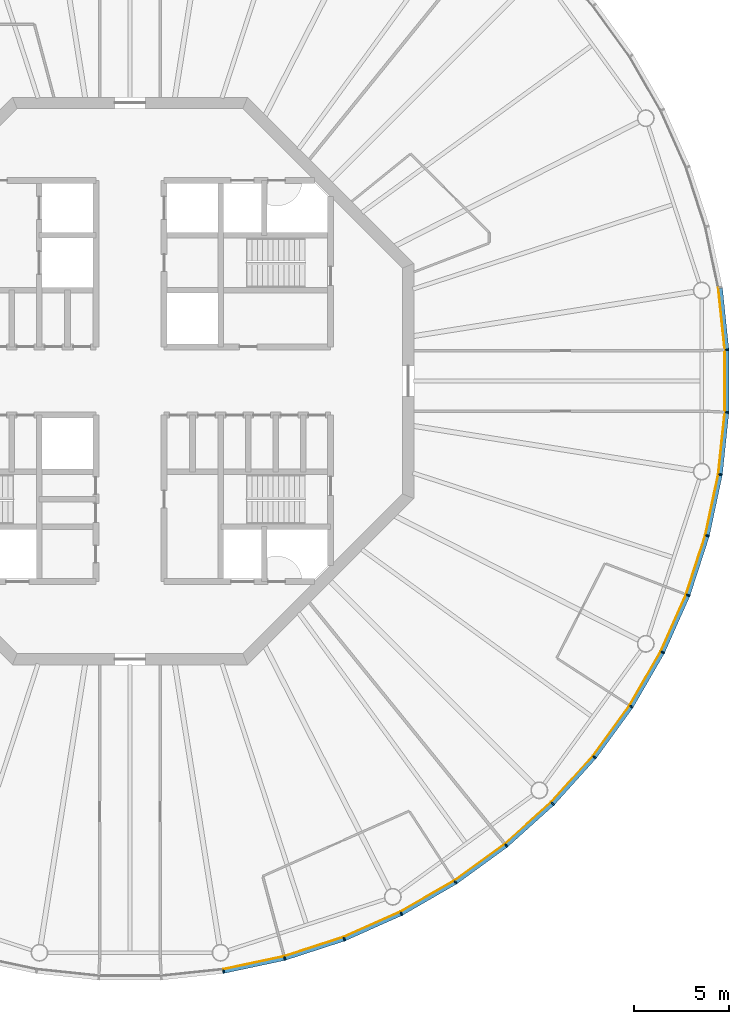
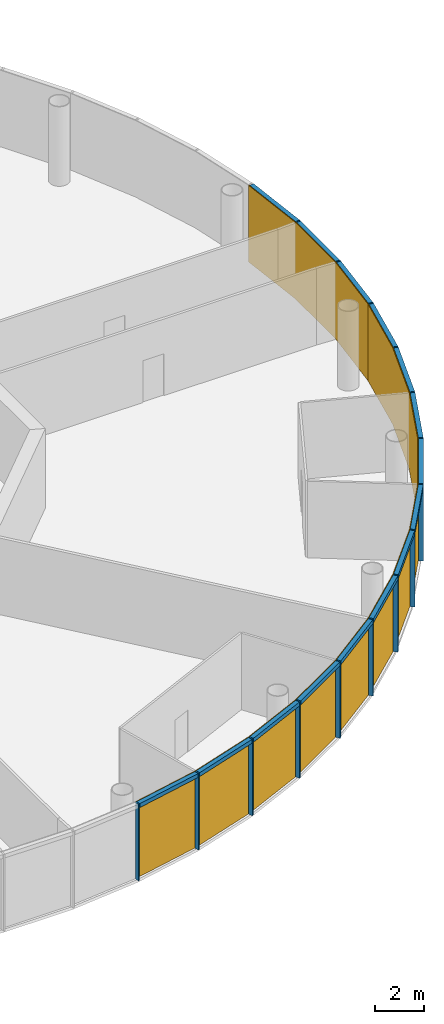
# One storey, part 9 of 13: 30 members, 5 curtain walls.
"""IFC4 building model written with IfcOpenShell, lengths in metres."""

from ifc_helpers import new_model, si_unit, direction, frame, origin, origin_2d, place, context, subcontext, project, spatial, polyline, rectangle, outline, extrude, material, layer, layer_set, material_profile, profile_set, type_object, element, aggregate, save


model = new_model("IFC4")

# Units and contexts
model_context = context("Model", 3, precision=1e-05, world=origin(), true_north=direction((0.0, 1.0)))
body_context = subcontext(model_context, "Body", "Model", "MODEL_VIEW")
ifc_project = project(units=[si_unit("LENGTHUNIT", "METRE"), si_unit("AREAUNIT", "SQUARE_METRE"), si_unit("VOLUMEUNIT", "CUBIC_METRE"), si_unit("PLANEANGLEUNIT", "RADIAN"), si_unit("MASSUNIT", "GRAM", prefix="KILO")], contexts=[model_context])

# Member
ifc_material_1 = material(Name="Anodised aluminium", Category="aluminium")
ifc_material_profile_1 = material_profile(ifc_material_1, rectangle(XDim=0.070068359375, YDim=0.205078125, at=origin_2d()), Name="Mullion 70 x 205 mm anodised aluminium")
ifc_profile_set_1 = profile_set([ifc_material_profile_1], Name="Anodised aluminium")
member_type_1 = type_object("IfcMemberType", Name="Mullion 70 x 205 mm anodised aluminium", PredefinedType="MULLION", material=ifc_profile_set_1)
site_placement = place(None, origin())
building_placement = place(site_placement, origin())
storey_placement = place(building_placement, frame((0.0, 0.0, 384.0)))
member_1_placement = place(storey_placement, frame((94.943603515625, 48.78662109375, 0.0), z_axis=(0.0, 0.0, 1.0), x_axis=(0.987688340595, 0.15643446504, 0.0)))
member_1 = element("IfcMember", 1, at=member_1_placement, type_object=member_type_1, Name="MULLION L89-45", PredefinedType="MULLION", context=body_context, shape_type="SweptSolid", body=[
    extrude(rectangle(XDim=0.070068359375, YDim=0.205078125, at=origin_2d()), origin(), (0.0, 0.0, 1.0), 3.85009765625),
])

member_2_placement = place(storey_placement, frame((98.179443359375, 49.474365234375, 0.0), z_axis=(0.0, 0.0, 1.0), x_axis=(0.965925826289, 0.258819045103, 0.0)))
member_2 = element("IfcMember", 2, at=member_2_placement, type_object=member_type_1, Name="MULLION L89-46", PredefinedType="MULLION", context=body_context, shape_type="SweptSolid", body=[
    extrude(rectangle(XDim=0.070068359375, YDim=0.205078125, at=origin_2d()), origin(), (0.0, 0.0, 1.0), 3.85009765625),
])

member_3_placement = place(storey_placement, frame((101.325439453125, 50.49658203125, 0.0), z_axis=(0.0, 0.0, 1.0), x_axis=(0.933580426497, 0.358367949545, 0.0)))
member_3 = element("IfcMember", 3, at=member_3_placement, type_object=member_type_1, Name="MULLION L89-47", PredefinedType="MULLION", context=body_context, shape_type="SweptSolid", body=[
    extrude(rectangle(XDim=0.070068359375, YDim=0.205078125, at=origin_2d()), origin(), (0.0, 0.0, 1.0), 3.85009765625),
])

member_4_placement = place(storey_placement, frame((104.34716796875, 51.842041015625, 0.0), z_axis=(0.0, 0.0, 1.0), x_axis=(0.891006524188, 0.45399049974, 0.0)))
member_4 = element("IfcMember", 4, at=member_4_placement, type_object=member_type_1, Name="MULLION L89-48", PredefinedType="MULLION", context=body_context, shape_type="SweptSolid", body=[
    extrude(rectangle(XDim=0.070068359375, YDim=0.205078125, at=origin_2d()), origin(), (0.0, 0.0, 1.0), 3.85009765625),
])

member_5_placement = place(storey_placement, frame((107.2119140625, 53.495849609375, 0.0), z_axis=(0.0, 0.0, 1.0), x_axis=(0.838670567945, 0.544639035015, 0.0)))
member_5 = element("IfcMember", 5, at=member_5_placement, type_object=member_type_1, Name="MULLION L89-49", PredefinedType="MULLION", context=body_context, shape_type="SweptSolid", body=[
    extrude(rectangle(XDim=0.070068359375, YDim=0.205078125, at=origin_2d()), origin(), (0.0, 0.0, 1.0), 3.85009765625),
])

member_6_placement = place(storey_placement, frame((109.88818359375, 55.440185546875, 0.0), z_axis=(0.0, 0.0, 1.0), x_axis=(0.777145961457, 0.62932039105, 0.0)))
member_6 = element("IfcMember", 6, at=member_6_placement, type_object=member_type_1, Name="MULLION L89-50", PredefinedType="MULLION", context=body_context, shape_type="SweptSolid", body=[
    extrude(rectangle(XDim=0.070068359375, YDim=0.205078125, at=origin_2d()), origin(), (0.0, 0.0, 1.0), 3.85009765625),
])

member_7_placement = place(storey_placement, frame((112.346435546875, 57.653564453125, 0.0), z_axis=(0.0, 0.0, 1.0), x_axis=(0.707106781187, 0.707106781187, 0.0)))
member_7 = element("IfcMember", 7, at=member_7_placement, type_object=member_type_1, Name="MULLION L89-51", PredefinedType="MULLION", context=body_context, shape_type="SweptSolid", body=[
    extrude(rectangle(XDim=0.070068359375, YDim=0.205078125, at=origin_2d()), origin(), (0.0, 0.0, 1.0), 3.85009765625),
])

member_8_placement = place(storey_placement, frame((114.559814453125, 60.11181640625, 0.0), z_axis=(0.0, 0.0, 1.0), x_axis=(0.62932039105, 0.777145961457, 0.0)))
member_8 = element("IfcMember", 8, at=member_8_placement, type_object=member_type_1, Name="MULLION L89-52", PredefinedType="MULLION", context=body_context, shape_type="SweptSolid", body=[
    extrude(rectangle(XDim=0.070068359375, YDim=0.205078125, at=origin_2d()), origin(), (0.0, 0.0, 1.0), 3.85009765625),
])

member_9_placement = place(storey_placement, frame((116.504150390625, 62.7880859375, 0.0), z_axis=(0.0, 0.0, 1.0), x_axis=(0.544639035015, 0.838670567945, 0.0)))
member_9 = element("IfcMember", 9, at=member_9_placement, type_object=member_type_1, Name="MULLION L89-53", PredefinedType="MULLION", context=body_context, shape_type="SweptSolid", body=[
    extrude(rectangle(XDim=0.070068359375, YDim=0.205078125, at=origin_2d()), origin(), (0.0, 0.0, 1.0), 3.85009765625),
])

member_10_placement = place(storey_placement, frame((118.157958984375, 65.65283203125, 0.0), z_axis=(0.0, 0.0, 1.0), x_axis=(0.45399049974, 0.891006524188, 0.0)))
member_10 = element("IfcMember", 10, at=member_10_placement, type_object=member_type_1, Name="MULLION L89-54", PredefinedType="MULLION", context=body_context, shape_type="SweptSolid", body=[
    extrude(rectangle(XDim=0.070068359375, YDim=0.205078125, at=origin_2d()), origin(), (0.0, 0.0, 1.0), 3.85009765625),
])

member_11_placement = place(storey_placement, frame((119.50341796875, 68.674560546875, 0.0), z_axis=(0.0, 0.0, 1.0), x_axis=(0.358367949545, 0.933580426497, 0.0)))
member_11 = element("IfcMember", 11, at=member_11_placement, type_object=member_type_1, Name="MULLION L89-55", PredefinedType="MULLION", context=body_context, shape_type="SweptSolid", body=[
    extrude(rectangle(XDim=0.070068359375, YDim=0.205078125, at=origin_2d()), origin(), (0.0, 0.0, 1.0), 3.85009765625),
])

member_12_placement = place(storey_placement, frame((120.525634765625, 71.820556640625, 0.0), z_axis=(0.0, 0.0, 1.0), x_axis=(0.258819045103, 0.965925826289, 0.0)))
member_12 = element("IfcMember", 12, at=member_12_placement, type_object=member_type_1, Name="MULLION L89-56", PredefinedType="MULLION", context=body_context, shape_type="SweptSolid", body=[
    extrude(rectangle(XDim=0.070068359375, YDim=0.205078125, at=origin_2d()), origin(), (0.0, 0.0, 1.0), 3.85009765625),
])

member_13_placement = place(storey_placement, frame((121.21337890625, 75.056396484375, 0.0), z_axis=(0.0, 0.0, 1.0), x_axis=(0.15643446504, 0.987688340595, 0.0)))
member_13 = element("IfcMember", 13, at=member_13_placement, type_object=member_type_1, Name="MULLION L89-57", PredefinedType="MULLION", context=body_context, shape_type="SweptSolid", body=[
    extrude(rectangle(XDim=0.070068359375, YDim=0.205078125, at=origin_2d()), origin(), (0.0, 0.0, 1.0), 3.85009765625),
])

member_14_placement = place(storey_placement, frame((121.55908203125, 78.345947265625, 0.0), z_axis=(0.0, 0.0, 1.0), x_axis=(0.052335956243, 0.998629534755, 0.0)))
member_14 = element("IfcMember", 14, at=member_14_placement, type_object=member_type_1, Name="MULLION L89-58", PredefinedType="MULLION", context=body_context, shape_type="SweptSolid", body=[
    extrude(rectangle(XDim=0.070068359375, YDim=0.205078125, at=origin_2d()), origin(), (0.0, 0.0, 1.0), 3.85009765625),
])

member_15_placement = place(storey_placement, frame((121.55908203125, 81.654052734375, 0.0), z_axis=(0.0, 0.0, 1.0), x_axis=(-0.052335956243, 0.998629534755, 0.0)))
member_15 = element("IfcMember", 15, at=member_15_placement, type_object=member_type_1, Name="MULLION L89-59", PredefinedType="MULLION", context=body_context, shape_type="SweptSolid", body=[
    extrude(rectangle(XDim=0.070068359375, YDim=0.205078125, at=origin_2d()), origin(), (0.0, 0.0, 1.0), 3.85009765625),
])

ifc_material_2 = material(Name="Anodised aluminium", Category="aluminium")
ifc_material_profile_2 = material_profile(ifc_material_2, rectangle(XDim=0.205078125, YDim=0.195068359375, at=origin_2d()), Name="Transom 195 x 205 mm anodised aluminium")
ifc_profile_set_2 = profile_set([ifc_material_profile_2], Name="Anodised aluminium")
member_type_2 = type_object("IfcMemberType", Name="Transom 195 x 205 mm anodised aluminium", PredefinedType="USERDEFINED", material=ifc_profile_set_2)
member_16_placement = place(storey_placement, frame((94.983154296875, 48.794921875, 3.75244140625), z_axis=(0.978153082647, 0.207885898771, 0.0), x_axis=(-0.207885898771, 0.978153082647, 0.0)))
member_16 = element("IfcMember", 16, at=member_16_placement, type_object=member_type_2, Name="TRANSOM L89-45", ObjectType="TRANSOM", PredefinedType="USERDEFINED", context=body_context, shape_type="SweptSolid", body=[
    extrude(rectangle(XDim=0.205078125, YDim=0.195068359375, at=origin_2d()), origin(), (0.0, 0.0, 1.0), 3.227294921875),
])

member_17_placement = place(storey_placement, frame((98.2177734375, 49.486572265625, 3.75244140625), z_axis=(0.951046855117, 0.309046726844, 0.0), x_axis=(-0.309046726844, 0.951046855117, 0.0)))
member_17 = element("IfcMember", 17, at=member_17_placement, type_object=member_type_2, Name="TRANSOM L89-46", ObjectType="TRANSOM", PredefinedType="USERDEFINED", context=body_context, shape_type="SweptSolid", body=[
    extrude(rectangle(XDim=0.205078125, YDim=0.195068359375, at=origin_2d()), origin(), (0.0, 0.0, 1.0), 3.22705078125),
])

member_18_placement = place(storey_placement, frame((101.3623046875, 50.5126953125, 3.75244140625), z_axis=(0.913521178731, 0.406791170024, 0.0), x_axis=(-0.406791170024, 0.913521178731, 0.0)))
member_18 = element("IfcMember", 18, at=member_18_placement, type_object=member_type_2, Name="TRANSOM L89-47", ObjectType="TRANSOM", PredefinedType="USERDEFINED", context=body_context, shape_type="SweptSolid", body=[
    extrude(rectangle(XDim=0.205078125, YDim=0.195068359375, at=origin_2d()), origin(), (0.0, 0.0, 1.0), 3.22705078125),
])

member_19_placement = place(storey_placement, frame((104.38232421875, 51.862060546875, 3.75244140625), z_axis=(0.866023062494, 0.500004055213, 0.0), x_axis=(-0.500004055213, 0.866023062494, 0.0)))
member_19 = element("IfcMember", 19, at=member_19_placement, type_object=member_type_2, Name="TRANSOM L89-48", ObjectType="TRANSOM", PredefinedType="USERDEFINED", context=body_context, shape_type="SweptSolid", body=[
    extrude(rectangle(XDim=0.205078125, YDim=0.195068359375, at=origin_2d()), origin(), (0.0, 0.0, 1.0), 3.22705078125),
])

member_20_placement = place(storey_placement, frame((107.24462890625, 53.51953125, 3.75244140625), z_axis=(0.809004252048, 0.587802790201, 0.0), x_axis=(-0.587802790201, 0.809004252048, 0.0)))
member_20 = element("IfcMember", 20, at=member_20_placement, type_object=member_type_2, Name="TRANSOM L89-49", ObjectType="TRANSOM", PredefinedType="USERDEFINED", context=body_context, shape_type="SweptSolid", body=[
    extrude(rectangle(XDim=0.205078125, YDim=0.195068359375, at=origin_2d()), origin(), (0.0, 0.0, 1.0), 3.227294921875),
])

member_21_placement = place(storey_placement, frame((109.918212890625, 55.467041015625, 3.75244140625), z_axis=(0.743132370743, 0.669144438484, 0.0), x_axis=(-0.669144438484, 0.743132370743, 0.0)))
member_21 = element("IfcMember", 21, at=member_21_placement, type_object=member_type_2, Name="TRANSOM L89-50", ObjectType="TRANSOM", PredefinedType="USERDEFINED", context=body_context, shape_type="SweptSolid", body=[
    extrude(rectangle(XDim=0.205078125, YDim=0.195068359375, at=origin_2d()), origin(), (0.0, 0.0, 1.0), 3.22705078125),
])

member_22_placement = place(storey_placement, frame((112.37353515625, 57.68359375, 3.75244140625), z_axis=(0.669144438484, 0.743132370743, 0.0), x_axis=(-0.743132370743, 0.669144438484, 0.0)))
member_22 = element("IfcMember", 22, at=member_22_placement, type_object=member_type_2, Name="TRANSOM L89-51", ObjectType="TRANSOM", PredefinedType="USERDEFINED", context=body_context, shape_type="SweptSolid", body=[
    extrude(rectangle(XDim=0.205078125, YDim=0.195068359375, at=origin_2d()), origin(), (0.0, 0.0, 1.0), 3.22705078125),
])

member_23_placement = place(storey_placement, frame((114.58349609375, 60.14453125, 3.75244140625), z_axis=(0.587802790201, 0.809004252048, 0.0), x_axis=(-0.809004252048, 0.587802790201, 0.0)))
member_23 = element("IfcMember", 23, at=member_23_placement, type_object=member_type_2, Name="TRANSOM L89-52", ObjectType="TRANSOM", PredefinedType="USERDEFINED", context=body_context, shape_type="SweptSolid", body=[
    extrude(rectangle(XDim=0.205078125, YDim=0.195068359375, at=origin_2d()), origin(), (0.0, 0.0, 1.0), 3.227294921875),
])

member_24_placement = place(storey_placement, frame((116.5244140625, 62.822998046875, 3.75244140625), z_axis=(0.500004055213, 0.866023062494, 0.0), x_axis=(-0.866023062494, 0.500004055213, 0.0)))
member_24 = element("IfcMember", 24, at=member_24_placement, type_object=member_type_2, Name="TRANSOM L89-53", ObjectType="TRANSOM", PredefinedType="USERDEFINED", context=body_context, shape_type="SweptSolid", body=[
    extrude(rectangle(XDim=0.205078125, YDim=0.195068359375, at=origin_2d()), origin(), (0.0, 0.0, 1.0), 3.22705078125),
])

member_25_placement = place(storey_placement, frame((118.174560546875, 65.689697265625, 3.75244140625), z_axis=(0.406791170024, 0.913521178731, 0.0), x_axis=(-0.913521178731, 0.406791170024, 0.0)))
member_25 = element("IfcMember", 25, at=member_25_placement, type_object=member_type_2, Name="TRANSOM L89-54", ObjectType="TRANSOM", PredefinedType="USERDEFINED", context=body_context, shape_type="SweptSolid", body=[
    extrude(rectangle(XDim=0.205078125, YDim=0.195068359375, at=origin_2d()), origin(), (0.0, 0.0, 1.0), 3.22705078125),
])

member_26_placement = place(storey_placement, frame((119.51611328125, 68.713134765625, 3.75244140625), z_axis=(0.309046726844, 0.951046855117, 0.0), x_axis=(-0.951046855117, 0.309046726844, 0.0)))
member_26 = element("IfcMember", 26, at=member_26_placement, type_object=member_type_2, Name="TRANSOM L89-55", ObjectType="TRANSOM", PredefinedType="USERDEFINED", context=body_context, shape_type="SweptSolid", body=[
    extrude(rectangle(XDim=0.205078125, YDim=0.195068359375, at=origin_2d()), origin(), (0.0, 0.0, 1.0), 3.22705078125),
])

member_27_placement = place(storey_placement, frame((120.5341796875, 71.860107421875, 3.75244140625), z_axis=(0.207885898771, 0.978153082647, 0.0), x_axis=(-0.978153082647, 0.207885898771, 0.0)))
member_27 = element("IfcMember", 27, at=member_27_placement, type_object=member_type_2, Name="TRANSOM L89-56", ObjectType="TRANSOM", PredefinedType="USERDEFINED", context=body_context, shape_type="SweptSolid", body=[
    extrude(rectangle(XDim=0.205078125, YDim=0.195068359375, at=origin_2d()), origin(), (0.0, 0.0, 1.0), 3.227294921875),
])

member_28_placement = place(storey_placement, frame((121.2177734375, 75.096435546875, 3.75244140625), z_axis=(0.104550890115, 0.994519537956, 0.0), x_axis=(-0.994519537956, 0.104550890115, 0.0)))
member_28 = element("IfcMember", 28, at=member_28_placement, type_object=member_type_2, Name="TRANSOM L89-57", ObjectType="TRANSOM", PredefinedType="USERDEFINED", context=body_context, shape_type="SweptSolid", body=[
    extrude(rectangle(XDim=0.205078125, YDim=0.195068359375, at=origin_2d()), origin(), (0.0, 0.0, 1.0), 3.22705078125),
])

member_29_placement = place(storey_placement, frame((121.559326171875, 78.386474609375, 3.75244140625), z_axis=(0.0, 1.0, 0.0), x_axis=(-1.0, 0.0, 0.0)))
member_29 = element("IfcMember", 29, at=member_29_placement, type_object=member_type_2, Name="TRANSOM L89-58", ObjectType="TRANSOM", PredefinedType="USERDEFINED", context=body_context, shape_type="SweptSolid", body=[
    extrude(rectangle(XDim=0.205078125, YDim=0.195068359375, at=origin_2d()), origin(), (0.0, 0.0, 1.0), 3.22705078125),
])

member_30_placement = place(storey_placement, frame((121.55517578125, 81.694091796875, 3.75244140625), z_axis=(-0.104550890115, 0.994519537956, 0.0), x_axis=(-0.994519537956, -0.104550890115, 0.0)))
member_30 = element("IfcMember", 30, at=member_30_placement, type_object=member_type_2, Name="TRANSOM L89-59", ObjectType="TRANSOM", PredefinedType="USERDEFINED", context=body_context, shape_type="SweptSolid", body=[
    extrude(rectangle(XDim=0.205078125, YDim=0.195068359375, at=origin_2d()), origin(), (0.0, 0.0, 1.0), 3.22705078125),
])

# Site, building, storey
site = spatial("IfcSite", under=ifc_project, at=site_placement, CompositionType="ELEMENT")
building = spatial("IfcBuilding", under=site, at=building_placement, Name="Entoto Ring Tower", CompositionType="ELEMENT")
storey = spatial("IfcBuildingStorey", under=building, at=storey_placement, Name="L89", CompositionType="ELEMENT", Elevation=384.0)

# Curtain wall
ifc_material_3 = material(Name="Clear low-iron glass", Category="glass")
ifc_layer = layer(ifc_material_3, 0.035888671875)
ifc_layer_set = layer_set([ifc_layer], Name="Clear low-iron glass")
curtain_wall_type = type_object("IfcCurtainWallType", Name="Curtain wall system CW6 glazing 36 mm", PredefinedType="NOTDEFINED", material=ifc_layer_set)
curtain_wall_1_placement = place(storey_placement, origin())
curtain_wall_1 = element("IfcCurtainWall", 31, at=curtain_wall_1_placement, inside=storey, type_object=curtain_wall_type, Name="CW6 L89-16", PredefinedType="NOTDEFINED", context=body_context, shape_type="SweptSolid", body=[
    extrude(outline(polyline([(94.927734375, 48.8876953125), (98.15283203125, 49.5732421875), (101.28857421875, 50.59228515625), (104.30078125, 51.933349609375), (104.284423828125, 51.96533203125), (101.275634765625, 50.6259765625), (98.1435546875, 49.608154296875), (94.922119140625, 48.92333984375), (94.927734375, 48.8876953125)])), origin(), (0.0, 0.0, 1.0), 3.85009765625),
])

aggregate(curtain_wall_1, [member_1, member_2, member_3, member_16, member_17, member_18])

curtain_wall_2_placement = place(storey_placement, origin())
curtain_wall_2 = element("IfcCurtainWall", 32, at=curtain_wall_2_placement, inside=storey, type_object=curtain_wall_type, Name="CW6 L89-17", PredefinedType="NOTDEFINED", context=body_context, shape_type="SweptSolid", body=[
    extrude(outline(polyline([(104.30078125, 51.933349609375), (107.15625, 53.581787109375), (109.823486328125, 55.52001953125), (112.27392578125, 57.72607421875), (112.248291015625, 57.751708984375), (109.801025390625, 55.5478515625), (107.136474609375, 53.612060546875), (104.284423828125, 51.96533203125), (104.30078125, 51.933349609375)])), origin(), (0.0, 0.0, 1.0), 3.85009765625),
])

aggregate(curtain_wall_2, [member_4, member_5, member_6, member_19, member_20, member_21])

curtain_wall_3_placement = place(storey_placement, origin())
curtain_wall_3 = element("IfcCurtainWall", 33, at=curtain_wall_3_placement, inside=storey, type_object=curtain_wall_type, Name="CW6 L89-18", PredefinedType="NOTDEFINED", context=body_context, shape_type="SweptSolid", body=[
    extrude(outline(polyline([(112.27392578125, 57.72607421875), (114.47998046875, 60.176513671875), (116.418212890625, 62.84375), (118.066650390625, 65.69921875), (118.03466796875, 65.715576171875), (116.387939453125, 62.863525390625), (114.4521484375, 60.198974609375), (112.248291015625, 57.751708984375), (112.27392578125, 57.72607421875)])), origin(), (0.0, 0.0, 1.0), 3.85009765625),
])

aggregate(curtain_wall_3, [member_7, member_8, member_9, member_22, member_23, member_24])

curtain_wall_4_placement = place(storey_placement, origin())
curtain_wall_4 = element("IfcCurtainWall", 34, at=curtain_wall_4_placement, inside=storey, type_object=curtain_wall_type, Name="CW6 L89-19", PredefinedType="NOTDEFINED", context=body_context, shape_type="SweptSolid", body=[
    extrude(outline(polyline([(118.066650390625, 65.69921875), (119.40771484375, 68.71142578125), (120.4267578125, 71.84716796875), (121.1123046875, 75.072265625), (121.07666015625, 75.077880859375), (120.391845703125, 71.8564453125), (119.3740234375, 68.724365234375), (118.03466796875, 65.715576171875), (118.066650390625, 65.69921875)])), origin(), (0.0, 0.0, 1.0), 3.85009765625),
])

aggregate(curtain_wall_4, [member_10, member_11, member_12, member_25, member_26, member_27])

curtain_wall_5_placement = place(storey_placement, origin())
curtain_wall_5 = element("IfcCurtainWall", 35, at=curtain_wall_5_placement, inside=storey, type_object=curtain_wall_type, Name="CW6 L89-20", PredefinedType="NOTDEFINED", context=body_context, shape_type="SweptSolid", body=[
    extrude(outline(polyline([(121.1123046875, 75.072265625), (121.456787109375, 78.351318359375), (121.456787109375, 81.648681640625), (121.1123046875, 84.927734375), (121.07666015625, 84.922119140625), (121.4208984375, 81.646728515625), (121.4208984375, 78.353271484375), (121.07666015625, 75.077880859375), (121.1123046875, 75.072265625)])), origin(), (0.0, 0.0, 1.0), 3.85009765625),
])

aggregate(curtain_wall_5, [member_13, member_14, member_15, member_28, member_29, member_30])

save(model, "model.ifc")
